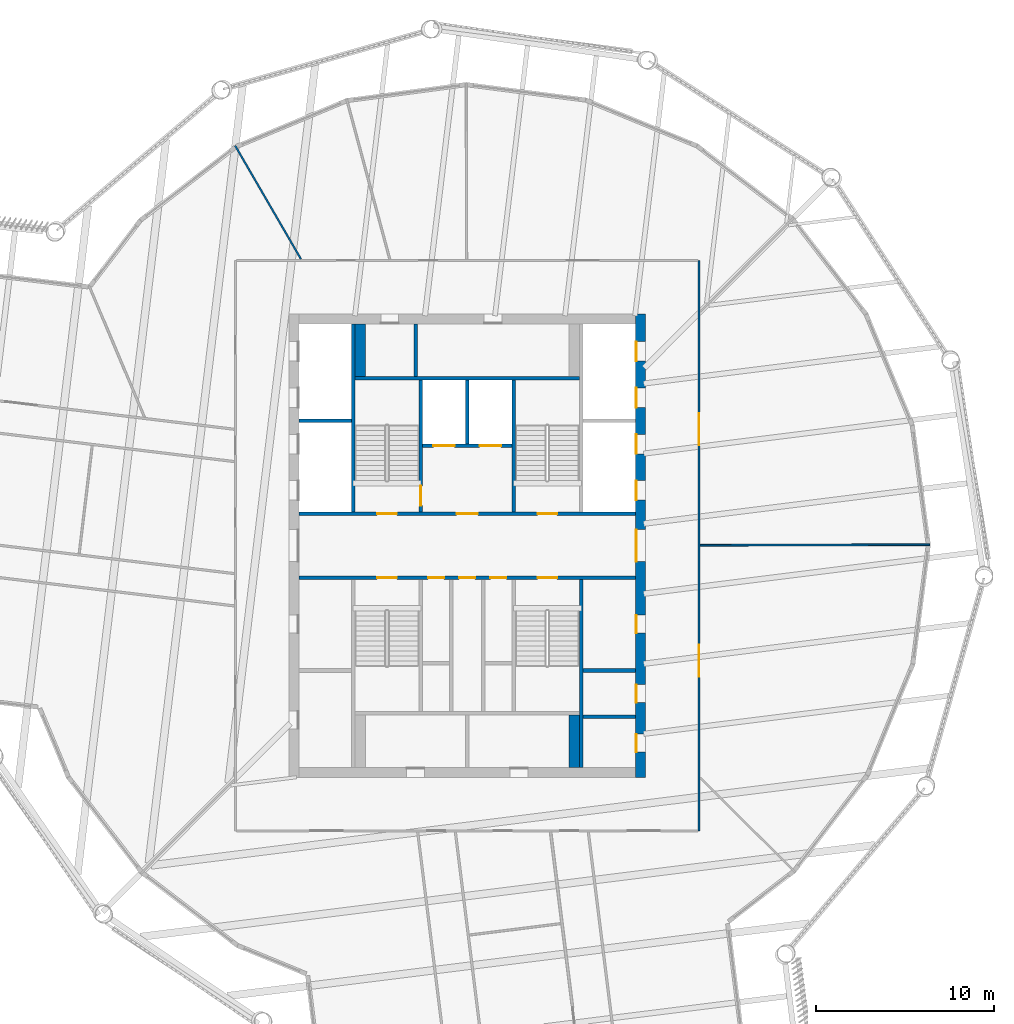
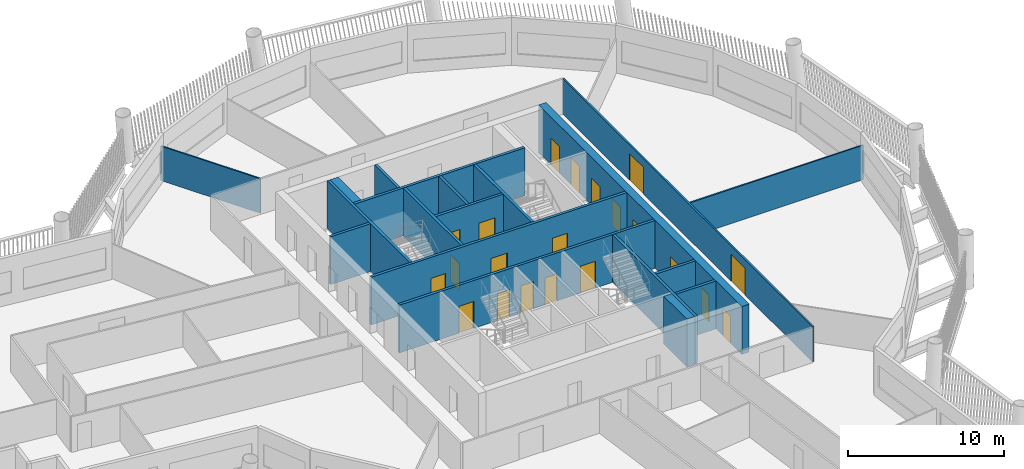
# One storey, part 5 of 14: 21 doors, 19 walls, 21 openings.
"""IFC4 building model written with IfcOpenShell, lengths in metres."""

from ifc_helpers import new_model, si_unit, direction, frame, frame_2d, origin, place, context, subcontext, project, spatial, rectangle, extrude, material, layer, layer_set, type_object, element, fill, save


model = new_model("IFC4")

# Units and contexts
model_context = context("Model", 3, precision=1e-05, world=origin(), true_north=direction((0.0, 1.0)))
body_context = subcontext(model_context, "Body", "Model", "MODEL_VIEW")
ifc_project = project(units=[si_unit("LENGTHUNIT", "METRE"), si_unit("AREAUNIT", "SQUARE_METRE"), si_unit("VOLUMEUNIT", "CUBIC_METRE"), si_unit("PLANEANGLEUNIT", "RADIAN"), si_unit("MASSUNIT", "GRAM", prefix="KILO")], contexts=[model_context])

# Site, building, storey
site_placement = place(None, origin())
site = spatial("IfcSite", under=ifc_project, at=site_placement, CompositionType="ELEMENT")
building_placement = place(site_placement, origin())
building = spatial("IfcBuilding", under=site, at=building_placement, Name="Tarsis Ring Headquarters", CompositionType="ELEMENT")
storey_placement = place(building_placement, frame((0.0, 0.0, 259.10009765625)))
storey = spatial("IfcBuildingStorey", under=building, at=storey_placement, Name="L60", CompositionType="ELEMENT", Elevation=259.10009765625)

# Walls
ifc_material_1 = material(Name="Blockwork", Category="masonry")
ifc_layer_1 = layer(ifc_material_1, 0.199951171875)
ifc_layer_set_1 = layer_set([ifc_layer_1], Name="Core blockwork wall 200")
wall_type_1 = type_object("IfcWallType", Name="Core blockwork wall 200", PredefinedType="PARTITIONING", material=ifc_layer_set_1)
for number, where, z_axis, x_axis, name in (
    (1, (6.5, -9.60009765625, 0.0), (0.0, 0.0, 1.0), (1.0, 0.0, 0.0), "Core partition ED1"),
    (2, (6.5, -7.0, 0.0), (0.0, 0.0, 1.0), (1.0, 0.0, 0.0), "Core partition ED2"),
    (3, (-2.89990234375, 9.5, 0.0), (0.0, 0.0, 1.0), (0.0, 1.0, 0.0), "Core partition ND1"),
):
    element("IfcWall", number, at=place(storey_placement, frame(where, z_axis=z_axis, x_axis=x_axis)), inside=storey, type_object=wall_type_1, Name=name, PredefinedType="PARTITIONING", context=body_context, shape_type="SweptSolid", body=[
        extrude(rectangle(XDim=2.949951171875, YDim=0.199951171875, at=frame_2d((1.47509765625, 0.0))), origin(), (0.0, 0.0, 1.0), 3.739990234375),
    ])

# Wall, openings, doors
ifc_material_2 = material(Name="Concrete C50/60", Category="concrete")
ifc_layer_2 = layer(ifc_material_2, 0.550048828125)
ifc_layer_set_2 = layer_set([ifc_layer_2], Name="Core wall 550 C50/60")
wall_type_2 = type_object("IfcWallType", Name="Core wall 550 C50/60", PredefinedType="SHEAR", material=ifc_layer_set_2)
wall_1_placement = place(storey_placement, frame((9.72509765625, -13.0, 0.0), z_axis=(0.0, 0.0, 1.0), x_axis=(0.0, 1.0, 0.0)))
wall_1 = element("IfcWall", 4, at=wall_1_placement, inside=storey, type_object=wall_type_2, Name="Core wall OE", PredefinedType="SHEAR", context=body_context, shape_type="SweptSolid", body=[
    extrude(rectangle(XDim=26.0, YDim=0.550048828125, at=frame_2d((13.0, 0.0))), origin(), (0.0, 0.0, 1.0), 3.739990234375),
])
opening_1_placement = place(wall_1_placement, frame((1.425048828125, 0.0, 0.0)))
opening_1 = element("IfcOpeningElement", 5, at=opening_1_placement, cuts=wall_1, Name="Opening L60-C08", PredefinedType="OPENING", context=body_context, shape_type="SweptSolid", body=[
    extrude(rectangle(XDim=1.0, YDim=2.10009765625, at=frame_2d((0.5, 1.050048828125))), frame((0.0, 0.284912109375, 0.0), z_axis=(0.0, -1.0, 0.0), x_axis=(1.0, 0.0, 0.0)), (0.0, 0.0, 1.0), 0.570068359375),
])
opening_2_placement = place(wall_1_placement, frame((4.199951171875, 0.0, 0.0)))
opening_2 = element("IfcOpeningElement", 6, at=opening_2_placement, cuts=wall_1, Name="Opening L60-C09", PredefinedType="OPENING", context=body_context, shape_type="SweptSolid", body=[
    extrude(rectangle(XDim=1.0, YDim=2.10009765625, at=frame_2d((0.5, 1.050048828125))), frame((0.0, 0.284912109375, 0.0), z_axis=(0.0, -1.0, 0.0), x_axis=(1.0, 0.0, 0.0)), (0.0, 0.0, 1.0), 0.570068359375),
])
opening_3_placement = place(wall_1_placement, frame((8.10009765625, 0.0, 0.0)))
opening_3 = element("IfcOpeningElement", 7, at=opening_3_placement, cuts=wall_1, Name="Opening L60-C10", PredefinedType="OPENING", context=body_context, shape_type="SweptSolid", body=[
    extrude(rectangle(XDim=1.0, YDim=2.10009765625, at=frame_2d((0.5, 1.050048828125))), frame((0.0, 0.284912109375, 0.0), z_axis=(0.0, -1.0, 0.0), x_axis=(1.0, 0.0, 0.0)), (0.0, 0.0, 1.0), 0.570068359375),
])
opening_4_placement = place(wall_1_placement, frame((12.10009765625, 0.0, 0.0)))
opening_4 = element("IfcOpeningElement", 8, at=opening_4_placement, cuts=wall_1, Name="Opening L60-C11", PredefinedType="OPENING", context=body_context, shape_type="SweptSolid", body=[
    extrude(rectangle(XDim=1.800048828125, YDim=2.10009765625, at=frame_2d((0.89990234375, 1.050048828125))), frame((0.0, 0.284912109375, 0.0), z_axis=(0.0, -1.0, 0.0), x_axis=(1.0, 0.0, 0.0)), (0.0, 0.0, 1.0), 0.570068359375),
])
opening_5_placement = place(wall_1_placement, frame((15.550048828125, 0.0, 0.0)))
opening_5 = element("IfcOpeningElement", 9, at=opening_5_placement, cuts=wall_1, Name="Opening LD-HR5", PredefinedType="OPENING", context=body_context, shape_type="SweptSolid", body=[
    extrude(rectangle(XDim=1.10009765625, YDim=2.10009765625, at=frame_2d((0.550048828125, 1.050048828125))), frame((0.0, 0.284912109375, 0.0), z_axis=(0.0, -1.0, 0.0), x_axis=(1.0, 0.0, 0.0)), (0.0, 0.0, 1.0), 0.570068359375),
])
opening_6_placement = place(wall_1_placement, frame((18.14990234375, 0.0, 0.0)))
opening_6 = element("IfcOpeningElement", 10, at=opening_6_placement, cuts=wall_1, Name="Opening LD-HR6", PredefinedType="OPENING", context=body_context, shape_type="SweptSolid", body=[
    extrude(rectangle(XDim=1.10009765625, YDim=2.10009765625, at=frame_2d((0.550048828125, 1.050048828125))), frame((0.0, 0.284912109375, 0.0), z_axis=(0.0, -1.0, 0.0), x_axis=(1.0, 0.0, 0.0)), (0.0, 0.0, 1.0), 0.570068359375),
])
opening_7_placement = place(wall_1_placement, frame((20.75, 0.0, 0.0)))
opening_7 = element("IfcOpeningElement", 11, at=opening_7_placement, cuts=wall_1, Name="Opening LD-HR7", PredefinedType="OPENING", context=body_context, shape_type="SweptSolid", body=[
    extrude(rectangle(XDim=1.10009765625, YDim=2.10009765625, at=frame_2d((0.550048828125, 1.050048828125))), frame((0.0, 0.284912109375, 0.0), z_axis=(0.0, -1.0, 0.0), x_axis=(1.0, 0.0, 0.0)), (0.0, 0.0, 1.0), 0.570068359375),
])
opening_8_placement = place(wall_1_placement, frame((23.35009765625, 0.0, 0.0)))
opening_8 = element("IfcOpeningElement", 12, at=opening_8_placement, cuts=wall_1, Name="Opening LD-HR8", PredefinedType="OPENING", context=body_context, shape_type="SweptSolid", body=[
    extrude(rectangle(XDim=1.10009765625, YDim=2.10009765625, at=frame_2d((0.550048828125, 1.050048828125))), frame((0.0, 0.284912109375, 0.0), z_axis=(0.0, -1.0, 0.0), x_axis=(1.0, 0.0, 0.0)), (0.0, 0.0, 1.0), 0.570068359375),
])
ifc_material_3 = material(Name="Steel S355", Category="steel")
door_type_1 = type_object("IfcDoorType", Name="Core entry door 1800x2100", OperationType="DOUBLE_DOOR_SINGLE_SWING", PredefinedType="DOOR", material=ifc_material_3)
door_1_placement = place(opening_4_placement, origin())
door_1 = element("IfcDoor", 13, at=door_1_placement, inside=storey, type_object=door_type_1, Name="Core entry door L60", OperationType="DOUBLE_DOOR_SINGLE_SWING", OverallHeight=2.10009765625, OverallWidth=1.800048828125, PredefinedType="DOOR", context=body_context, shape_type="SweptSolid", body=[
    extrude(rectangle(XDim=1.800048828125, YDim=2.10009765625, at=frame_2d((0.89990234375, 1.050048828125))), frame((0.0, 0.27490234375, 0.0), z_axis=(0.0, -1.0, 0.0), x_axis=(1.0, 0.0, 0.0)), (0.0, 0.0, 1.0), 0.050048828125),
])
fill(opening_4, door_1)
door_type_2 = type_object("IfcDoorType", Name="Core room door 1000x2100", OperationType="SINGLE_SWING_LEFT", PredefinedType="DOOR", material=ifc_material_3)
door_2_placement = place(opening_1_placement, origin())
door_2 = element("IfcDoor", 14, at=door_2_placement, inside=storey, type_object=door_type_2, Name="Core room door L60", OperationType="SINGLE_SWING_LEFT", OverallHeight=2.10009765625, OverallWidth=1.0, PredefinedType="DOOR", context=body_context, shape_type="SweptSolid", body=[
    extrude(rectangle(XDim=1.0, YDim=2.10009765625, at=frame_2d((0.5, 1.050048828125))), frame((0.0, 0.27490234375, 0.0), z_axis=(0.0, -1.0, 0.0), x_axis=(1.0, 0.0, 0.0)), (0.0, 0.0, 1.0), 0.050048828125),
])
fill(opening_1, door_2)
door_3_placement = place(opening_2_placement, origin())
door_3 = element("IfcDoor", 15, at=door_3_placement, inside=storey, type_object=door_type_2, Name="Core room door L60", OperationType="SINGLE_SWING_LEFT", OverallHeight=2.10009765625, OverallWidth=1.0, PredefinedType="DOOR", context=body_context, shape_type="SweptSolid", body=[
    extrude(rectangle(XDim=1.0, YDim=2.10009765625, at=frame_2d((0.5, 1.050048828125))), frame((0.0, 0.27490234375, 0.0), z_axis=(0.0, -1.0, 0.0), x_axis=(1.0, 0.0, 0.0)), (0.0, 0.0, 1.0), 0.050048828125),
])
fill(opening_2, door_3)
door_4_placement = place(opening_3_placement, origin())
door_4 = element("IfcDoor", 16, at=door_4_placement, inside=storey, type_object=door_type_2, Name="Core room door L60", OperationType="SINGLE_SWING_LEFT", OverallHeight=2.10009765625, OverallWidth=1.0, PredefinedType="DOOR", context=body_context, shape_type="SweptSolid", body=[
    extrude(rectangle(XDim=1.0, YDim=2.10009765625, at=frame_2d((0.5, 1.050048828125))), frame((0.0, 0.27490234375, 0.0), z_axis=(0.0, -1.0, 0.0), x_axis=(1.0, 0.0, 0.0)), (0.0, 0.0, 1.0), 0.050048828125),
])
fill(opening_3, door_4)
door_type_3 = type_object("IfcDoorType", Name="Landing door 1100x2100", OperationType="SLIDING_TO_LEFT", PredefinedType="DOOR", material=ifc_material_3)
door_5_placement = place(opening_5_placement, origin())
door_5 = element("IfcDoor", 17, at=door_5_placement, inside=storey, type_object=door_type_3, Name="Landing door HR5 L60", OperationType="SLIDING_TO_LEFT", OverallHeight=2.10009765625, OverallWidth=1.10009765625, PredefinedType="DOOR", context=body_context, shape_type="SweptSolid", body=[
    extrude(rectangle(XDim=1.10009765625, YDim=2.10009765625, at=frame_2d((0.550048828125, 1.050048828125))), frame((0.0, 0.27490234375, 0.0), z_axis=(0.0, -1.0, 0.0), x_axis=(1.0, 0.0, 0.0)), (0.0, 0.0, 1.0), 0.050048828125),
])
fill(opening_5, door_5)
door_6_placement = place(opening_6_placement, origin())
door_6 = element("IfcDoor", 18, at=door_6_placement, inside=storey, type_object=door_type_3, Name="Landing door HR6 L60", OperationType="SLIDING_TO_LEFT", OverallHeight=2.10009765625, OverallWidth=1.10009765625, PredefinedType="DOOR", context=body_context, shape_type="SweptSolid", body=[
    extrude(rectangle(XDim=1.10009765625, YDim=2.10009765625, at=frame_2d((0.550048828125, 1.050048828125))), frame((0.0, 0.27490234375, 0.0), z_axis=(0.0, -1.0, 0.0), x_axis=(1.0, 0.0, 0.0)), (0.0, 0.0, 1.0), 0.050048828125),
])
fill(opening_6, door_6)
door_7_placement = place(opening_7_placement, origin())
door_7 = element("IfcDoor", 19, at=door_7_placement, inside=storey, type_object=door_type_3, Name="Landing door HR7 L60", OperationType="SLIDING_TO_LEFT", OverallHeight=2.10009765625, OverallWidth=1.10009765625, PredefinedType="DOOR", context=body_context, shape_type="SweptSolid", body=[
    extrude(rectangle(XDim=1.10009765625, YDim=2.10009765625, at=frame_2d((0.550048828125, 1.050048828125))), frame((0.0, 0.27490234375, 0.0), z_axis=(0.0, -1.0, 0.0), x_axis=(1.0, 0.0, 0.0)), (0.0, 0.0, 1.0), 0.050048828125),
])
fill(opening_7, door_7)
door_8_placement = place(opening_8_placement, origin())
door_8 = element("IfcDoor", 20, at=door_8_placement, inside=storey, type_object=door_type_3, Name="Landing door HR8 L60", OperationType="SLIDING_TO_LEFT", OverallHeight=2.10009765625, OverallWidth=1.10009765625, PredefinedType="DOOR", context=body_context, shape_type="SweptSolid", body=[
    extrude(rectangle(XDim=1.10009765625, YDim=2.10009765625, at=frame_2d((0.550048828125, 1.050048828125))), frame((0.0, 0.27490234375, 0.0), z_axis=(0.0, -1.0, 0.0), x_axis=(1.0, 0.0, 0.0)), (0.0, 0.0, 1.0), 0.050048828125),
])
fill(opening_8, door_8)

# Walls
ifc_material_4 = material(Name="Gypsum board on steel studs", Category="steel")
ifc_layer_3 = layer(ifc_material_4, 0.10009765625)
ifc_layer_set_3 = layer_set([ifc_layer_3], Name="FL partition 100 unrated")
wall_type_3 = type_object("IfcWallType", Name="FL partition 100 unrated", PredefinedType="PARTITIONING", material=ifc_layer_set_3)
wall_2_placement = place(storey_placement, frame((13.070068359375, 0.02734375, 0.0), z_axis=(0.0, 0.0, 1.0), x_axis=(0.999997825505, 0.002085422125, 0.0)))
element("IfcWall", 21, at=wall_2_placement, inside=storey, type_object=wall_type_3, Name="Partition PW3", PredefinedType="PARTITIONING", context=body_context, shape_type="SweptSolid", body=[
    extrude(rectangle(XDim=12.877685546875, YDim=0.10009765625, at=frame_2d((6.43896484375, 0.0))), origin(), (0.0, 0.0, 1.0), 2.699951171875),
])
wall_3_placement = place(storey_placement, frame((-13.02099609375, 22.4443359375, 0.0), z_axis=(0.0, 0.0, 1.0), x_axis=(0.501825805804, -0.864968705, 0.0)))
element("IfcWall", 22, at=wall_3_placement, inside=storey, type_object=wall_type_3, Name="Partition PW3", PredefinedType="PARTITIONING", context=body_context, shape_type="SweptSolid", body=[
    extrude(rectangle(XDim=7.3603515625, YDim=0.10009765625, at=frame_2d((3.68017578125, 0.0))), origin(), (0.0, 0.0, 1.0), 2.699951171875),
])

# Wall, openings, doors
ifc_layer_4 = layer(ifc_material_4, 0.125)
ifc_layer_set_4 = layer_set([ifc_layer_4], Name="FL partition 125 EI 60 H2770")
wall_type_4 = type_object("IfcWallType", Name="FL partition 125 EI 60 H2770", PredefinedType="PARTITIONING", material=ifc_layer_set_4)
wall_4_placement = place(storey_placement, frame((13.0, -16.0, 0.0), z_axis=(0.0, 0.0, 1.0), x_axis=(0.0, 1.0, 0.0)))
wall_4 = element("IfcWall", 23, at=wall_4_placement, inside=storey, type_object=wall_type_4, Name="Partition PW1", PredefinedType="PARTITIONING", context=body_context, shape_type="SweptSolid", body=[
    extrude(rectangle(XDim=32.0, YDim=0.125, at=frame_2d((16.0, 0.0))), origin(), (0.0, 0.0, 1.0), 2.77001953125),
])
opening_9_placement = place(wall_4_placement, frame((21.640869140625, 0.0, 0.0)))
opening_9 = element("IfcOpeningElement", 24, at=opening_9_placement, cuts=wall_4, Name="Opening D60.07", PredefinedType="OPENING", context=body_context, shape_type="SweptSolid", body=[
    extrude(rectangle(XDim=1.800048828125, YDim=2.10009765625, at=frame_2d((0.89990234375, 1.050048828125))), frame((0.0, 0.072509765625, 0.0), z_axis=(0.0, -1.0, 0.0), x_axis=(1.0, 0.0, 0.0)), (0.0, 0.0, 1.0), 0.14501953125),
])
opening_10_placement = place(wall_4_placement, frame((8.640869140625, 0.0, 0.0)))
opening_10 = element("IfcOpeningElement", 25, at=opening_10_placement, cuts=wall_4, Name="Opening D60.08", PredefinedType="OPENING", context=body_context, shape_type="SweptSolid", body=[
    extrude(rectangle(XDim=1.800048828125, YDim=2.10009765625, at=frame_2d((0.89990234375, 1.050048828125))), frame((0.0, 0.072509765625, 0.0), z_axis=(0.0, -1.0, 0.0), x_axis=(1.0, 0.0, 0.0)), (0.0, 0.0, 1.0), 0.14501953125),
])
ifc_material_5 = material(Name="Fire-rated timber door leaf in steel frame", Category="steel")
door_type_4 = type_object("IfcDoorType", Name="FL door FD60-1800", OperationType="DOUBLE_DOOR_SINGLE_SWING", PredefinedType="DOOR", material=ifc_material_5)
door_9_placement = place(opening_9_placement, origin())
door_9 = element("IfcDoor", 26, at=door_9_placement, inside=storey, type_object=door_type_4, Name="Door D60.07", OperationType="DOUBLE_DOOR_SINGLE_SWING", OverallHeight=2.10009765625, OverallWidth=1.800048828125, PredefinedType="DOOR", context=body_context, shape_type="SweptSolid", body=[
    extrude(rectangle(XDim=1.800048828125, YDim=2.10009765625, at=frame_2d((0.89990234375, 1.050048828125))), frame((0.0, 0.02490234375, 0.0), z_axis=(0.0, -1.0, 0.0), x_axis=(1.0, 0.0, 0.0)), (0.0, 0.0, 1.0), 0.050048828125),
])
fill(opening_9, door_9)
door_10_placement = place(opening_10_placement, origin())
door_10 = element("IfcDoor", 27, at=door_10_placement, inside=storey, type_object=door_type_4, Name="Door D60.08", OperationType="DOUBLE_DOOR_SINGLE_SWING", OverallHeight=2.10009765625, OverallWidth=1.800048828125, PredefinedType="DOOR", context=body_context, shape_type="SweptSolid", body=[
    extrude(rectangle(XDim=1.800048828125, YDim=2.10009765625, at=frame_2d((0.89990234375, 1.050048828125))), frame((0.0, 0.02490234375, 0.0), z_axis=(0.0, -1.0, 0.0), x_axis=(1.0, 0.0, 0.0)), (0.0, 0.0, 1.0), 0.050048828125),
])
fill(opening_10, door_10)

# Walls
ifc_material_6 = material(Name="Concrete C32/40", Category="concrete")
ifc_layer_5 = layer(ifc_material_6, 0.60009765625)
ifc_layer_set_5 = layer_set([ifc_layer_5], Name="Shaft end wall 600 C32/40")
wall_type_5 = type_object("IfcWallType", Name="Shaft end wall 600 C32/40", PredefinedType="SOLIDWALL", material=ifc_layer_set_5)
for number, where, z_axis, x_axis, name in (
    (28, (-6.0, 9.5, 0.0), (0.0, 0.0, 1.0), (0.0, 1.0, 0.0), "Core shaft wall NNE1"),
    (29, (6.0, -12.449951171875, 0.0), (0.0, 0.0, 1.0), (0.0, 1.0, 0.0), "Core shaft wall SNE2"),
):
    element("IfcWall", number, at=place(storey_placement, frame(where, z_axis=z_axis, x_axis=x_axis)), inside=storey, type_object=wall_type_5, Name=name, PredefinedType="SOLIDWALL", context=body_context, shape_type="SweptSolid", body=[
        extrude(rectangle(XDim=2.949951171875, YDim=0.60009765625, at=frame_2d((1.47509765625, 0.0))), origin(), (0.0, 0.0, 1.0), 3.739990234375),
    ])

# Wall, openings, doors
ifc_layer_6 = layer(ifc_material_6, 0.199951171875)
ifc_layer_set_6 = layer_set([ifc_layer_6], Name="Shaft wall 200 C32/40")
wall_type_6 = type_object("IfcWallType", Name="Shaft wall 200 C32/40", PredefinedType="SOLIDWALL", material=ifc_layer_set_6)
wall_5_placement = place(storey_placement, frame((-9.449951171875, 1.800048828125, 0.0), z_axis=(0.0, 0.0, 1.0), x_axis=(1.0, 0.0, 0.0)))
wall_5 = element("IfcWall", 30, at=wall_5_placement, inside=storey, type_object=wall_type_6, Name="Core shaft wall CN", PredefinedType="SOLIDWALL", context=body_context, shape_type="SweptSolid", body=[
    extrude(rectangle(XDim=18.89990234375, YDim=0.199951171875, at=frame_2d((9.449951171875, 0.0))), origin(), (0.0, 0.0, 1.0), 3.739990234375),
])
opening_11_placement = place(wall_5_placement, frame((4.39990234375, 0.0, 0.0)))
opening_11 = element("IfcOpeningElement", 31, at=opening_11_placement, cuts=wall_5, Name="Opening L60-C20", PredefinedType="OPENING", context=body_context, shape_type="SweptSolid", body=[
    extrude(rectangle(XDim=1.10009765625, YDim=2.10009765625, at=frame_2d((0.550048828125, 1.050048828125))), frame((0.0, 0.10986328125, 0.0), z_axis=(0.0, -1.0, 0.0), x_axis=(1.0, 0.0, 0.0)), (0.0, 0.0, 1.0), 0.219970703125),
])
opening_12_placement = place(wall_5_placement, frame((8.85009765625, 0.0, 0.0)))
opening_12 = element("IfcOpeningElement", 32, at=opening_12_placement, cuts=wall_5, Name="Opening L60-C21", PredefinedType="OPENING", context=body_context, shape_type="SweptSolid", body=[
    extrude(rectangle(XDim=1.199951171875, YDim=2.10009765625, at=frame_2d((0.60009765625, 1.050048828125))), frame((0.0, 0.10986328125, 0.0), z_axis=(0.0, -1.0, 0.0), x_axis=(1.0, 0.0, 0.0)), (0.0, 0.0, 1.0), 0.219970703125),
])
opening_13_placement = place(wall_5_placement, frame((13.39990234375, 0.0, 0.0)))
opening_13 = element("IfcOpeningElement", 33, at=opening_13_placement, cuts=wall_5, Name="Opening L60-C22", PredefinedType="OPENING", context=body_context, shape_type="SweptSolid", body=[
    extrude(rectangle(XDim=1.10009765625, YDim=2.10009765625, at=frame_2d((0.550048828125, 1.050048828125))), frame((0.0, 0.10986328125, 0.0), z_axis=(0.0, -1.0, 0.0), x_axis=(1.0, 0.0, 0.0)), (0.0, 0.0, 1.0), 0.219970703125),
])
door_type_5 = type_object("IfcDoorType", Name="Firefighting lobby door 1200x2100", OperationType="DOUBLE_DOOR_SINGLE_SWING", PredefinedType="DOOR", material=ifc_material_3)
door_11_placement = place(opening_12_placement, origin())
door_11 = element("IfcDoor", 34, at=door_11_placement, inside=storey, type_object=door_type_5, Name="Firefighting lobby door L60", OperationType="DOUBLE_DOOR_SINGLE_SWING", OverallHeight=2.10009765625, OverallWidth=1.199951171875, PredefinedType="DOOR", context=body_context, shape_type="SweptSolid", body=[
    extrude(rectangle(XDim=1.199951171875, YDim=2.10009765625, at=frame_2d((0.60009765625, 1.050048828125))), frame((0.0, 0.02490234375, 0.0), z_axis=(0.0, -1.0, 0.0), x_axis=(1.0, 0.0, 0.0)), (0.0, 0.0, 1.0), 0.050048828125),
])
fill(opening_12, door_11)
door_type_6 = type_object("IfcDoorType", Name="Stair door 1100x2100", OperationType="SINGLE_SWING_LEFT", PredefinedType="DOOR", material=ifc_material_3)
door_12_placement = place(opening_11_placement, origin())
door_12 = element("IfcDoor", 35, at=door_12_placement, inside=storey, type_object=door_type_6, Name="Stair door L60", OperationType="SINGLE_SWING_LEFT", OverallHeight=2.10009765625, OverallWidth=1.10009765625, PredefinedType="DOOR", context=body_context, shape_type="SweptSolid", body=[
    extrude(rectangle(XDim=1.10009765625, YDim=2.10009765625, at=frame_2d((0.550048828125, 1.050048828125))), frame((0.0, 0.02490234375, 0.0), z_axis=(0.0, -1.0, 0.0), x_axis=(1.0, 0.0, 0.0)), (0.0, 0.0, 1.0), 0.050048828125),
])
fill(opening_11, door_12)
door_13_placement = place(opening_13_placement, origin())
door_13 = element("IfcDoor", 36, at=door_13_placement, inside=storey, type_object=door_type_6, Name="Stair door L60", OperationType="SINGLE_SWING_LEFT", OverallHeight=2.10009765625, OverallWidth=1.10009765625, PredefinedType="DOOR", context=body_context, shape_type="SweptSolid", body=[
    extrude(rectangle(XDim=1.10009765625, YDim=2.10009765625, at=frame_2d((0.550048828125, 1.050048828125))), frame((0.0, 0.02490234375, 0.0), z_axis=(0.0, -1.0, 0.0), x_axis=(1.0, 0.0, 0.0)), (0.0, 0.0, 1.0), 0.050048828125),
])
fill(opening_13, door_13)

wall_6_placement = place(storey_placement, frame((-9.449951171875, -1.800048828125, 0.0), z_axis=(0.0, 0.0, 1.0), x_axis=(1.0, 0.0, 0.0)))
wall_6 = element("IfcWall", 37, at=wall_6_placement, inside=storey, type_object=wall_type_6, Name="Core shaft wall CS", PredefinedType="SOLIDWALL", context=body_context, shape_type="SweptSolid", body=[
    extrude(rectangle(XDim=18.89990234375, YDim=0.199951171875, at=frame_2d((9.449951171875, 0.0))), origin(), (0.0, 0.0, 1.0), 3.739990234375),
])
opening_14_placement = place(wall_6_placement, frame((4.39990234375, 0.0, 0.0)))
opening_14 = element("IfcOpeningElement", 38, at=opening_14_placement, cuts=wall_6, Name="Opening L60-C23", PredefinedType="OPENING", context=body_context, shape_type="SweptSolid", body=[
    extrude(rectangle(XDim=1.10009765625, YDim=2.10009765625, at=frame_2d((0.550048828125, 1.050048828125))), frame((0.0, 0.10986328125, 0.0), z_axis=(0.0, -1.0, 0.0), x_axis=(1.0, 0.0, 0.0)), (0.0, 0.0, 1.0), 0.219970703125),
])
opening_15_placement = place(wall_6_placement, frame((7.25, 0.0, 0.0)))
opening_15 = element("IfcOpeningElement", 39, at=opening_15_placement, cuts=wall_6, Name="Opening L60-C24", PredefinedType="OPENING", context=body_context, shape_type="SweptSolid", body=[
    extrude(rectangle(XDim=0.89990234375, YDim=2.10009765625, at=frame_2d((0.449951171875, 1.050048828125))), frame((0.0, 0.10986328125, 0.0), z_axis=(0.0, -1.0, 0.0), x_axis=(1.0, 0.0, 0.0)), (0.0, 0.0, 1.0), 0.219970703125),
])
opening_16_placement = place(wall_6_placement, frame((9.0, 0.0, 0.0)))
opening_16 = element("IfcOpeningElement", 40, at=opening_16_placement, cuts=wall_6, Name="Opening L60-C25", PredefinedType="OPENING", context=body_context, shape_type="SweptSolid", body=[
    extrude(rectangle(XDim=0.89990234375, YDim=2.10009765625, at=frame_2d((0.449951171875, 1.050048828125))), frame((0.0, 0.10986328125, 0.0), z_axis=(0.0, -1.0, 0.0), x_axis=(1.0, 0.0, 0.0)), (0.0, 0.0, 1.0), 0.219970703125),
])
opening_17_placement = place(wall_6_placement, frame((10.75, 0.0, 0.0)))
opening_17 = element("IfcOpeningElement", 41, at=opening_17_placement, cuts=wall_6, Name="Opening L60-C26", PredefinedType="OPENING", context=body_context, shape_type="SweptSolid", body=[
    extrude(rectangle(XDim=0.89990234375, YDim=2.10009765625, at=frame_2d((0.449951171875, 1.050048828125))), frame((0.0, 0.10986328125, 0.0), z_axis=(0.0, -1.0, 0.0), x_axis=(1.0, 0.0, 0.0)), (0.0, 0.0, 1.0), 0.219970703125),
])
opening_18_placement = place(wall_6_placement, frame((13.39990234375, 0.0, 0.0)))
opening_18 = element("IfcOpeningElement", 42, at=opening_18_placement, cuts=wall_6, Name="Opening L60-C27", PredefinedType="OPENING", context=body_context, shape_type="SweptSolid", body=[
    extrude(rectangle(XDim=1.10009765625, YDim=2.10009765625, at=frame_2d((0.550048828125, 1.050048828125))), frame((0.0, 0.10986328125, 0.0), z_axis=(0.0, -1.0, 0.0), x_axis=(1.0, 0.0, 0.0)), (0.0, 0.0, 1.0), 0.219970703125),
])
door_14_placement = place(opening_14_placement, origin())
door_14 = element("IfcDoor", 43, at=door_14_placement, inside=storey, type_object=door_type_6, Name="Stair door L60", OperationType="SINGLE_SWING_LEFT", OverallHeight=2.10009765625, OverallWidth=1.10009765625, PredefinedType="DOOR", context=body_context, shape_type="SweptSolid", body=[
    extrude(rectangle(XDim=1.10009765625, YDim=2.10009765625, at=frame_2d((0.550048828125, 1.050048828125))), frame((0.0, 0.02490234375, 0.0), z_axis=(0.0, -1.0, 0.0), x_axis=(1.0, 0.0, 0.0)), (0.0, 0.0, 1.0), 0.050048828125),
])
fill(opening_14, door_14)
door_15_placement = place(opening_18_placement, origin())
door_15 = element("IfcDoor", 44, at=door_15_placement, inside=storey, type_object=door_type_6, Name="Stair door L60", OperationType="SINGLE_SWING_LEFT", OverallHeight=2.10009765625, OverallWidth=1.10009765625, PredefinedType="DOOR", context=body_context, shape_type="SweptSolid", body=[
    extrude(rectangle(XDim=1.10009765625, YDim=2.10009765625, at=frame_2d((0.550048828125, 1.050048828125))), frame((0.0, 0.02490234375, 0.0), z_axis=(0.0, -1.0, 0.0), x_axis=(1.0, 0.0, 0.0)), (0.0, 0.0, 1.0), 0.050048828125),
])
fill(opening_18, door_15)
door_type_7 = type_object("IfcDoorType", Name="WC door 900x2100", OperationType="SINGLE_SWING_LEFT", PredefinedType="DOOR", material=ifc_material_3)
door_16_placement = place(opening_15_placement, origin())
door_16 = element("IfcDoor", 45, at=door_16_placement, inside=storey, type_object=door_type_7, Name="WC door L60", OperationType="SINGLE_SWING_LEFT", OverallHeight=2.10009765625, OverallWidth=0.89990234375, PredefinedType="DOOR", context=body_context, shape_type="SweptSolid", body=[
    extrude(rectangle(XDim=0.89990234375, YDim=2.10009765625, at=frame_2d((0.449951171875, 1.050048828125))), frame((0.0, 0.02490234375, 0.0), z_axis=(0.0, -1.0, 0.0), x_axis=(1.0, 0.0, 0.0)), (0.0, 0.0, 1.0), 0.050048828125),
])
fill(opening_15, door_16)
door_17_placement = place(opening_16_placement, origin())
door_17 = element("IfcDoor", 46, at=door_17_placement, inside=storey, type_object=door_type_7, Name="WC door L60", OperationType="SINGLE_SWING_LEFT", OverallHeight=2.10009765625, OverallWidth=0.89990234375, PredefinedType="DOOR", context=body_context, shape_type="SweptSolid", body=[
    extrude(rectangle(XDim=0.89990234375, YDim=2.10009765625, at=frame_2d((0.449951171875, 1.050048828125))), frame((0.0, 0.02490234375, 0.0), z_axis=(0.0, -1.0, 0.0), x_axis=(1.0, 0.0, 0.0)), (0.0, 0.0, 1.0), 0.050048828125),
])
fill(opening_16, door_17)
door_18_placement = place(opening_17_placement, origin())
door_18 = element("IfcDoor", 47, at=door_18_placement, inside=storey, type_object=door_type_7, Name="WC door L60", OperationType="SINGLE_SWING_LEFT", OverallHeight=2.10009765625, OverallWidth=0.89990234375, PredefinedType="DOOR", context=body_context, shape_type="SweptSolid", body=[
    extrude(rectangle(XDim=0.89990234375, YDim=2.10009765625, at=frame_2d((0.449951171875, 1.050048828125))), frame((0.0, 0.02490234375, 0.0), z_axis=(0.0, -1.0, 0.0), x_axis=(1.0, 0.0, 0.0)), (0.0, 0.0, 1.0), 0.050048828125),
])
fill(opening_17, door_18)

# Walls
for number, where, z_axis, x_axis, name in (
    (48, (-6.39990234375, 1.89990234375, 0.0), (0.0, 0.0, 1.0), (0.0, 1.0, 0.0), "Core shaft wall WB2"),
    (49, (6.39990234375, -12.449951171875, 0.0), (0.0, 0.0, 1.0), (0.0, 1.0, 0.0), "Core shaft wall EB1"),
):
    element("IfcWall", number, at=place(storey_placement, frame(where, z_axis=z_axis, x_axis=x_axis)), inside=storey, type_object=wall_type_6, Name=name, PredefinedType="SOLIDWALL", context=body_context, shape_type="SweptSolid", body=[
        extrude(rectangle(XDim=10.550048828125, YDim=0.199951171875, at=frame_2d((5.27490234375, 0.0))), origin(), (0.0, 0.0, 1.0), 3.739990234375),
    ])
wall_7_placement = place(storey_placement, frame((-6.300048828125, 9.39990234375, 0.0), z_axis=(0.0, 0.0, 1.0), x_axis=(1.0, 0.0, 0.0)))
element("IfcWall", 50, at=wall_7_placement, inside=storey, type_object=wall_type_6, Name="Core shaft wall NB", PredefinedType="SOLIDWALL", context=body_context, shape_type="SweptSolid", body=[
    extrude(rectangle(XDim=12.60009765625, YDim=0.199951171875, at=frame_2d((6.300048828125, 0.0))), origin(), (0.0, 0.0, 1.0), 3.739990234375),
])

# Wall, opening, door
wall_8_placement = place(storey_placement, frame((-2.60009765625, 1.89990234375, 0.0), z_axis=(0.0, 0.0, 1.0), x_axis=(0.0, 1.0, 0.0)))
wall_8 = element("IfcWall", 51, at=wall_8_placement, inside=storey, type_object=wall_type_6, Name="Core shaft wall SW1", PredefinedType="SOLIDWALL", context=body_context, shape_type="SweptSolid", body=[
    extrude(rectangle(XDim=7.400146484375, YDim=0.199951171875, at=frame_2d((3.7001953125, 0.0))), origin(), (0.0, 0.0, 1.0), 3.739990234375),
])
opening_19_placement = place(wall_8_placement, frame((0.35009765625, 0.0, 0.0)))
opening_19 = element("IfcOpeningElement", 52, at=opening_19_placement, cuts=wall_8, Name="Opening L60-C28", PredefinedType="OPENING", context=body_context, shape_type="SweptSolid", body=[
    extrude(rectangle(XDim=1.10009765625, YDim=2.10009765625, at=frame_2d((0.550048828125, 1.050048828125))), frame((0.0, 0.10986328125, 0.0), z_axis=(0.0, -1.0, 0.0), x_axis=(1.0, 0.0, 0.0)), (0.0, 0.0, 1.0), 0.219970703125),
])
door_19_placement = place(opening_19_placement, origin())
door_19 = element("IfcDoor", 53, at=door_19_placement, inside=storey, type_object=door_type_6, Name="Stair door L60", OperationType="SINGLE_SWING_LEFT", OverallHeight=2.10009765625, OverallWidth=1.10009765625, PredefinedType="DOOR", context=body_context, shape_type="SweptSolid", body=[
    extrude(rectangle(XDim=1.10009765625, YDim=2.10009765625, at=frame_2d((0.550048828125, 1.050048828125))), frame((0.0, 0.02490234375, 0.0), z_axis=(0.0, -1.0, 0.0), x_axis=(1.0, 0.0, 0.0)), (0.0, 0.0, 1.0), 0.050048828125),
])
fill(opening_19, door_19)

# Wall
wall_9_placement = place(storey_placement, frame((2.60009765625, 1.89990234375, 0.0), z_axis=(0.0, 0.0, 1.0), x_axis=(0.0, 1.0, 0.0)))
element("IfcWall", 54, at=wall_9_placement, inside=storey, type_object=wall_type_6, Name="Core shaft wall SW2", PredefinedType="SOLIDWALL", context=body_context, shape_type="SweptSolid", body=[
    extrude(rectangle(XDim=7.400146484375, YDim=0.199951171875, at=frame_2d((3.7001953125, 0.0))), origin(), (0.0, 0.0, 1.0), 3.739990234375),
])

# Wall, openings, doors
wall_10_placement = place(storey_placement, frame((-2.5, 5.60009765625, 0.0), z_axis=(0.0, 0.0, 1.0), x_axis=(1.0, 0.0, 0.0)))
wall_10 = element("IfcWall", 55, at=wall_10_placement, inside=storey, type_object=wall_type_6, Name="Core shaft wall FFN", PredefinedType="SOLIDWALL", context=body_context, shape_type="SweptSolid", body=[
    extrude(rectangle(XDim=5.0, YDim=0.199951171875, at=frame_2d((2.5, 0.0))), origin(), (0.0, 0.0, 1.0), 3.739990234375),
])
opening_20_placement = place(wall_10_placement, frame((0.60009765625, 0.0, 0.0)))
opening_20 = element("IfcOpeningElement", 56, at=opening_20_placement, cuts=wall_10, Name="Opening LDF-1", PredefinedType="OPENING", context=body_context, shape_type="SweptSolid", body=[
    extrude(rectangle(XDim=1.199951171875, YDim=2.10009765625, at=frame_2d((0.60009765625, 1.050048828125))), frame((0.0, 0.10986328125, 0.0), z_axis=(0.0, -1.0, 0.0), x_axis=(1.0, 0.0, 0.0)), (0.0, 0.0, 1.0), 0.219970703125),
])
opening_21_placement = place(wall_10_placement, frame((3.199951171875, 0.0, 0.0)))
opening_21 = element("IfcOpeningElement", 57, at=opening_21_placement, cuts=wall_10, Name="Opening LDF-2", PredefinedType="OPENING", context=body_context, shape_type="SweptSolid", body=[
    extrude(rectangle(XDim=1.199951171875, YDim=2.10009765625, at=frame_2d((0.60009765625, 1.050048828125))), frame((0.0, 0.10986328125, 0.0), z_axis=(0.0, -1.0, 0.0), x_axis=(1.0, 0.0, 0.0)), (0.0, 0.0, 1.0), 0.219970703125),
])
door_type_8 = type_object("IfcDoorType", Name="Firefighting landing door 1200x2100", OperationType="SLIDING_TO_LEFT", PredefinedType="DOOR", material=ifc_material_3)
door_20_placement = place(opening_20_placement, origin())
door_20 = element("IfcDoor", 58, at=door_20_placement, inside=storey, type_object=door_type_8, Name="Landing door FF1 L60", OperationType="SLIDING_TO_LEFT", OverallHeight=2.10009765625, OverallWidth=1.199951171875, PredefinedType="DOOR", context=body_context, shape_type="SweptSolid", body=[
    extrude(rectangle(XDim=1.199951171875, YDim=2.10009765625, at=frame_2d((0.60009765625, 1.050048828125))), frame((0.0, 0.02490234375, 0.0), z_axis=(0.0, -1.0, 0.0), x_axis=(1.0, 0.0, 0.0)), (0.0, 0.0, 1.0), 0.050048828125),
])
fill(opening_20, door_20)
door_21_placement = place(opening_21_placement, origin())
door_21 = element("IfcDoor", 59, at=door_21_placement, inside=storey, type_object=door_type_8, Name="Landing door FF2 L60", OperationType="SLIDING_TO_LEFT", OverallHeight=2.10009765625, OverallWidth=1.199951171875, PredefinedType="DOOR", context=body_context, shape_type="SweptSolid", body=[
    extrude(rectangle(XDim=1.199951171875, YDim=2.10009765625, at=frame_2d((0.60009765625, 1.050048828125))), frame((0.0, 0.02490234375, 0.0), z_axis=(0.0, -1.0, 0.0), x_axis=(1.0, 0.0, 0.0)), (0.0, 0.0, 1.0), 0.050048828125),
])
fill(opening_21, door_21)

# Walls
wall_11_placement = place(storey_placement, frame((0.0, 5.699951171875, 0.0), z_axis=(0.0, 0.0, 1.0), x_axis=(0.0, 1.0, 0.0)))
element("IfcWall", 60, at=wall_11_placement, inside=storey, type_object=wall_type_6, Name="Core shaft wall FFD", PredefinedType="SOLIDWALL", context=body_context, shape_type="SweptSolid", body=[
    extrude(rectangle(XDim=3.60009765625, YDim=0.199951171875, at=frame_2d((1.800048828125, 0.0))), origin(), (0.0, 0.0, 1.0), 3.739990234375),
])
wall_12_placement = place(storey_placement, frame((-9.449951171875, 7.0, 0.0), z_axis=(0.0, 0.0, 1.0), x_axis=(1.0, 0.0, 0.0)))
element("IfcWall", 61, at=wall_12_placement, inside=storey, type_object=wall_type_6, Name="Core shaft wall WD6", PredefinedType="SOLIDWALL", context=body_context, shape_type="SweptSolid", body=[
    extrude(rectangle(XDim=2.949951171875, YDim=0.199951171875, at=frame_2d((1.47509765625, 0.0))), origin(), (0.0, 0.0, 1.0), 3.739990234375),
])

save(model, "model.ifc")
